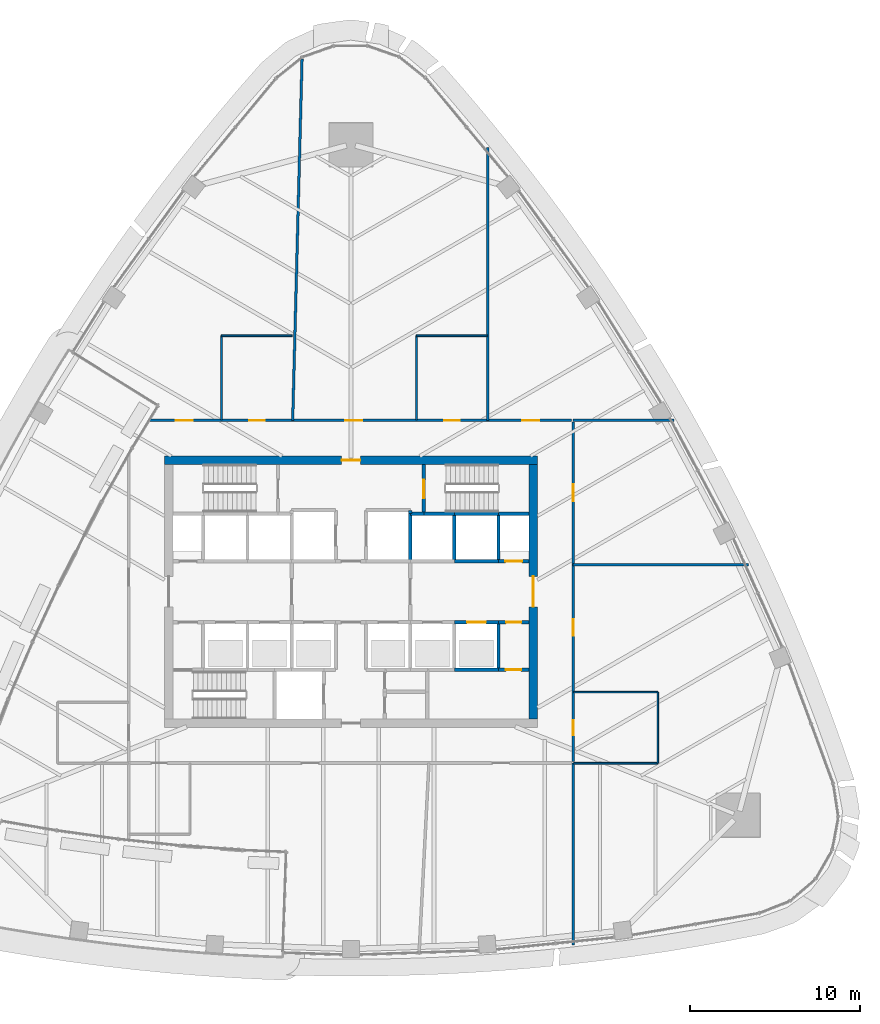
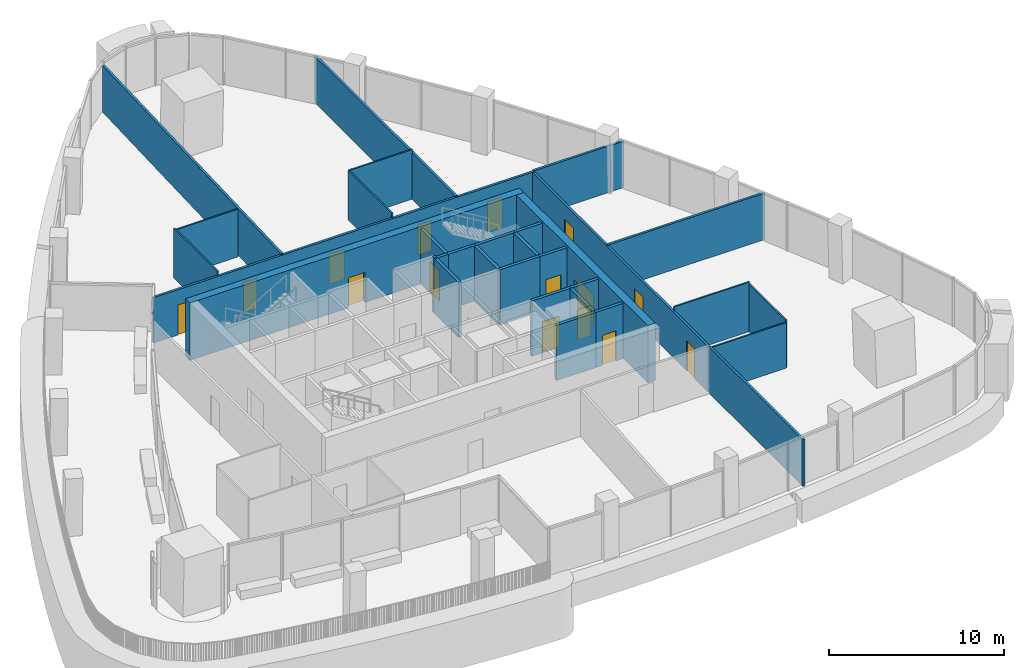
# One storey, part 11 of 18: 32 walls, 15 doors, 15 openings.
"""IFC4 building model written with IfcOpenShell, lengths in metres."""

from ifc_helpers import new_model, si_unit, direction, frame, frame_2d, origin, place, context, subcontext, project, spatial, rectangle, extrude, material, layer, layer_set, type_object, element, fill, save


model = new_model("IFC4")

# Units and contexts
model_context = context("Model", 3, precision=1e-05, world=origin(), true_north=direction((0.0, 1.0)))
body_context = subcontext(model_context, "Body", "Model", "MODEL_VIEW")
ifc_project = project(units=[si_unit("LENGTHUNIT", "METRE"), si_unit("AREAUNIT", "SQUARE_METRE"), si_unit("VOLUMEUNIT", "CUBIC_METRE"), si_unit("PLANEANGLEUNIT", "RADIAN"), si_unit("MASSUNIT", "GRAM", prefix="KILO")], contexts=[model_context])

# Site, building, storey
site_placement = place(None, origin())
site = spatial("IfcSite", under=ifc_project, at=site_placement, CompositionType="ELEMENT")
building_placement = place(site_placement, origin())
building = spatial("IfcBuilding", under=site, at=building_placement, Name="Sierra Prisma Convention Tower", CompositionType="ELEMENT")
storey_placement = place(building_placement, frame((0.0, 0.0, 205.800048828125)))
storey = spatial("IfcBuildingStorey", under=building, at=storey_placement, Name="L46", CompositionType="ELEMENT", Elevation=205.800048828125)

# Walls
ifc_material_1 = material(Name="Gypsum board partition", Category="gypsum")
ifc_layer_1 = layer(ifc_material_1, 0.10009765625)
ifc_layer_set_1 = layer_set([ifc_layer_1], Name="Bathroom partition 100")
wall_type_1 = type_object("IfcWallType", Name="Bathroom partition 100", PredefinedType="PARTITIONING", material=ifc_layer_set_1)
wall_1_placement = place(storey_placement, frame((-7.63623046875, 10.1298828125, 0.0), z_axis=(0.0, 0.0, 1.0), x_axis=(0.0, 1.0, 0.0)))
element("IfcWall", 1, at=wall_1_placement, inside=storey, type_object=wall_type_1, Name="Partition L46 bath 6", PredefinedType="PARTITIONING", context=body_context, shape_type="SweptSolid", body=[
    extrude(rectangle(XDim=4.97021484375, YDim=0.10009765625, at=frame_2d((2.485107421875, 0.0))), origin(), (0.0, 0.0, 1.0), 3.449951171875),
])
wall_2_placement = place(storey_placement, frame((-7.63623046875, 15.10009765625, 0.0), z_axis=(0.0, 0.0, 1.0), x_axis=(1.0, 0.0, 0.0)))
element("IfcWall", 2, at=wall_2_placement, inside=storey, type_object=wall_type_1, Name="Partition L46 bath 7", PredefinedType="PARTITIONING", context=body_context, shape_type="SweptSolid", body=[
    extrude(rectangle(XDim=4.169921875, YDim=0.10009765625, at=frame_2d((2.0849609375, 0.0))), origin(), (0.0, 0.0, 1.0), 3.31689453125),
])
wall_3_placement = place(storey_placement, frame((3.86376953125, 10.1298828125, 0.0), z_axis=(0.0, 0.0, 1.0), x_axis=(0.0, 1.0, 0.0)))
element("IfcWall", 3, at=wall_3_placement, inside=storey, type_object=wall_type_1, Name="Partition L46 bath 8", PredefinedType="PARTITIONING", context=body_context, shape_type="SweptSolid", body=[
    extrude(rectangle(XDim=4.97021484375, YDim=0.10009765625, at=frame_2d((2.485107421875, 0.0))), origin(), (0.0, 0.0, 1.0), 3.449951171875),
])
wall_4_placement = place(storey_placement, frame((3.86376953125, 15.10009765625, 0.0), z_axis=(0.0, 0.0, 1.0), x_axis=(1.0, 0.0, 0.0)))
element("IfcWall", 4, at=wall_4_placement, inside=storey, type_object=wall_type_1, Name="Partition L46 bath 9", PredefinedType="PARTITIONING", context=body_context, shape_type="SweptSolid", body=[
    extrude(rectangle(XDim=4.169921875, YDim=0.10009765625, at=frame_2d((2.0849609375, 0.0))), origin(), (0.0, 0.0, 1.0), 3.449951171875),
])
wall_5_placement = place(storey_placement, frame((13.1298828125, -5.919921875, 0.0), z_axis=(0.0, 0.0, 1.0), x_axis=(1.0, 0.0, 0.0)))
element("IfcWall", 5, at=wall_5_placement, inside=storey, type_object=wall_type_1, Name="Partition L46 bath 10", PredefinedType="PARTITIONING", context=body_context, shape_type="SweptSolid", body=[
    extrude(rectangle(XDim=4.97021484375, YDim=0.10009765625, at=frame_2d((2.485107421875, 0.0))), origin(), (0.0, 0.0, 1.0), 3.449951171875),
])
wall_6_placement = place(storey_placement, frame((18.10009765625, -5.919921875, 0.0), z_axis=(0.0, 0.0, 1.0), x_axis=(0.0, -1.0, 0.0)))
element("IfcWall", 6, at=wall_6_placement, inside=storey, type_object=wall_type_1, Name="Partition L46 bath 11", PredefinedType="PARTITIONING", context=body_context, shape_type="SweptSolid", body=[
    extrude(rectangle(XDim=4.2001953125, YDim=0.10009765625, at=frame_2d((2.10009765625, 0.0))), origin(), (0.0, 0.0, 1.0), 3.31689453125),
])
wall_7_placement = place(storey_placement, frame((18.10009765625, -10.1201171875, 0.0), z_axis=(0.0, 0.0, 1.0), x_axis=(-1.0, 0.0, 0.0)))
element("IfcWall", 7, at=wall_7_placement, inside=storey, type_object=wall_type_1, Name="Partition L46 bath 12", PredefinedType="PARTITIONING", context=body_context, shape_type="SweptSolid", body=[
    extrude(rectangle(XDim=4.97021484375, YDim=0.10009765625, at=frame_2d((2.485107421875, 0.0))), origin(), (0.0, 0.0, 1.0), 3.166015625),
])
ifc_material_2 = material(Name="Concrete C30/37", Category="concrete")
ifc_layer_2 = layer(ifc_material_2, 0.199951171875)
ifc_layer_set_2 = layer_set([ifc_layer_2], Name="Core wall RC 200 C30/37")
wall_type_2 = type_object("IfcWallType", Name="Core wall RC 200 C30/37", PredefinedType="SOLIDWALL", material=ifc_layer_set_2)
wall_8_placement = place(storey_placement, frame((3.5, 4.60009765625, 0.0), z_axis=(0.0, 0.0, 1.0), x_axis=(0.0, 1.0, 0.0)))
element("IfcWall", 8, at=wall_8_placement, inside=storey, type_object=wall_type_2, Name="Core wall L46 39", PredefinedType="SOLIDWALL", context=body_context, shape_type="SweptSolid", body=[
    extrude(rectangle(XDim=0.199951171875, YDim=0.199951171875, at=frame_2d((0.10009765625, 0.0))), origin(), (0.0, 0.0, 1.0), 3.849853515625),
])
wall_9_placement = place(storey_placement, frame((3.5, 1.800048828125, 0.0), z_axis=(0.0, 0.0, 1.0), x_axis=(0.0, 1.0, 0.0)))
element("IfcWall", 9, at=wall_9_placement, inside=storey, type_object=wall_type_2, Name="Core wall L46 51", PredefinedType="SOLIDWALL", context=body_context, shape_type="SweptSolid", body=[
    extrude(rectangle(XDim=2.800048828125, YDim=0.199951171875, at=frame_2d((1.39990234375, 0.0))), origin(), (0.0, 0.0, 1.0), 3.849853515625),
])
wall_10_placement = place(storey_placement, frame((4.300048828125, 4.60009765625, 0.0), z_axis=(0.0, 0.0, 1.0), x_axis=(-1.0, 0.0, 0.0)))
element("IfcWall", 10, at=wall_10_placement, inside=storey, type_object=wall_type_2, Name="Core wall L46 52", PredefinedType="SOLIDWALL", context=body_context, shape_type="SweptSolid", body=[
    extrude(rectangle(XDim=0.800048828125, YDim=0.199951171875, at=frame_2d((0.39990234375, 0.0))), origin(), (0.0, 0.0, 1.0), 3.849853515625),
])
wall_11_placement = place(storey_placement, frame((6.10009765625, 4.60009765625, 0.0), z_axis=(0.0, 0.0, 1.0), x_axis=(-1.0, 0.0, 0.0)))
element("IfcWall", 11, at=wall_11_placement, inside=storey, type_object=wall_type_2, Name="Core wall L46 53", PredefinedType="SOLIDWALL", context=body_context, shape_type="SweptSolid", body=[
    extrude(rectangle(XDim=1.800048828125, YDim=0.199951171875, at=frame_2d((0.89990234375, 0.0))), origin(), (0.0, 0.0, 1.0), 3.849853515625),
])

# Wall, opening, door
wall_12_placement = place(storey_placement, frame((4.300048828125, 7.5, 0.0), z_axis=(0.0, 0.0, 1.0), x_axis=(0.0, -1.0, 0.0)))
wall_12 = element("IfcWall", 12, at=wall_12_placement, inside=storey, type_object=wall_type_2, Name="Core wall L46 54", PredefinedType="SOLIDWALL", context=body_context, shape_type="SweptSolid", body=[
    extrude(rectangle(XDim=2.89990234375, YDim=0.199951171875, at=frame_2d((1.449951171875, 0.0))), origin(), (0.0, 0.0, 1.0), 3.849853515625),
])
opening_1_placement = place(wall_12_placement, frame((0.89990234375, 0.0, 0.0)))
opening_1 = element("IfcOpeningElement", 13, at=opening_1_placement, cuts=wall_12, Name="Opening L46-D022", PredefinedType="OPENING", context=body_context, shape_type="SweptSolid", body=[
    extrude(rectangle(XDim=1.10009765625, YDim=2.10009765625, at=frame_2d((0.550048828125, 1.050048828125))), frame((0.0, 0.10009765625, 0.0), z_axis=(0.0, -1.0, 0.0), x_axis=(1.0, 0.0, 0.0)), (0.0, 0.0, 1.0), 0.199951171875),
])
ifc_material_3 = material(Name="Steel fire door leaf", Category="steel")
door_type_1 = type_object("IfcDoorType", Name="Door 1100x2100 FD90S", OperationType="SINGLE_SWING_LEFT", PredefinedType="DOOR", material=ifc_material_3)
door_1_placement = place(opening_1_placement, origin())
door_1 = element("IfcDoor", 14, at=door_1_placement, inside=storey, type_object=door_type_1, Name="Door L46 32", OperationType="SINGLE_SWING_LEFT", OverallHeight=2.10009765625, OverallWidth=1.10009765625, PredefinedType="DOOR", context=body_context, shape_type="SweptSolid", body=[
    extrude(rectangle(XDim=1.10009765625, YDim=2.10009765625, at=frame_2d((0.550048828125, 1.050048828125))), frame((0.0, 0.02490234375, 0.0), z_axis=(0.0, -1.0, 0.0), x_axis=(1.0, 0.0, 0.0)), (0.0, 0.0, 1.0), 0.050048828125),
])
fill(opening_1, door_1)

# Wall
wall_13_placement = place(storey_placement, frame((8.699951171875, -4.60009765625, 0.0), z_axis=(0.0, 0.0, 1.0), x_axis=(-1.0, 0.0, 0.0)))
element("IfcWall", 15, at=wall_13_placement, inside=storey, type_object=wall_type_2, Name="Core wall L46 58", PredefinedType="SOLIDWALL", context=body_context, shape_type="SweptSolid", body=[
    extrude(rectangle(XDim=2.599853515625, YDim=0.199951171875, at=frame_2d((1.2998046875, 0.0))), origin(), (0.0, 0.0, 1.0), 3.849853515625),
])

# Wall, opening, door
wall_14_placement = place(storey_placement, frame((6.10009765625, -1.800048828125, 0.0), z_axis=(0.0, 0.0, 1.0), x_axis=(1.0, 0.0, 0.0)))
wall_14 = element("IfcWall", 16, at=wall_14_placement, inside=storey, type_object=wall_type_2, Name="Core wall L46 60", PredefinedType="SOLIDWALL", context=body_context, shape_type="SweptSolid", body=[
    extrude(rectangle(XDim=2.599853515625, YDim=0.199951171875, at=frame_2d((1.2998046875, 0.0))), origin(), (0.0, 0.0, 1.0), 3.849853515625),
])
opening_2_placement = place(wall_14_placement, frame((0.75, 0.0, 0.0)))
opening_2 = element("IfcOpeningElement", 17, at=opening_2_placement, cuts=wall_14, Name="Opening L46-D009", PredefinedType="OPENING", context=body_context, shape_type="SweptSolid", body=[
    extrude(rectangle(XDim=1.10009765625, YDim=2.10009765625, at=frame_2d((0.550048828125, 1.050048828125))), frame((0.0, 0.10009765625, 0.0), z_axis=(0.0, -1.0, 0.0), x_axis=(1.0, 0.0, 0.0)), (0.0, 0.0, 1.0), 0.199951171875),
])
ifc_material_4 = material(Name="Steel fire door leaf", Category="steel")
door_type_2 = type_object("IfcDoorType", Name="Door 1100x2100 EI 90 sliding lift landing", OperationType="SLIDING_TO_LEFT", PredefinedType="DOOR", material=ifc_material_4)
door_2_placement = place(opening_2_placement, origin())
door_2 = element("IfcDoor", 18, at=door_2_placement, inside=storey, type_object=door_type_2, Name="Door L46 19", OperationType="SLIDING_TO_RIGHT", OverallHeight=2.10009765625, OverallWidth=1.10009765625, PredefinedType="DOOR", context=body_context, shape_type="SweptSolid", body=[
    extrude(rectangle(XDim=1.10009765625, YDim=2.10009765625, at=frame_2d((0.550048828125, 1.050048828125))), frame((0.0, 0.02490234375, 0.0), z_axis=(0.0, -1.0, 0.0), x_axis=(1.0, 0.0, 0.0)), (0.0, 0.0, 1.0), 0.050048828125),
])
fill(opening_2, door_2)

# Walls
wall_15_placement = place(storey_placement, frame((8.699951171875, 1.800048828125, 0.0), z_axis=(0.0, 0.0, 1.0), x_axis=(-1.0, 0.0, 0.0)))
element("IfcWall", 19, at=wall_15_placement, inside=storey, type_object=wall_type_2, Name="Core wall L46 61", PredefinedType="SOLIDWALL", context=body_context, shape_type="SweptSolid", body=[
    extrude(rectangle(XDim=2.599853515625, YDim=0.199951171875, at=frame_2d((1.2998046875, 0.0))), origin(), (0.0, 0.0, 1.0), 3.849853515625),
])
wall_16_placement = place(storey_placement, frame((6.10009765625, 1.800048828125, 0.0), z_axis=(0.0, 0.0, 1.0), x_axis=(0.0, 1.0, 0.0)))
element("IfcWall", 20, at=wall_16_placement, inside=storey, type_object=wall_type_2, Name="Core wall L46 62", PredefinedType="SOLIDWALL", context=body_context, shape_type="SweptSolid", body=[
    extrude(rectangle(XDim=2.800048828125, YDim=0.199951171875, at=frame_2d((1.39990234375, 0.0))), origin(), (0.0, 0.0, 1.0), 3.849853515625),
])
wall_17_placement = place(storey_placement, frame((8.699951171875, 4.60009765625, 0.0), z_axis=(0.0, 0.0, 1.0), x_axis=(-1.0, 0.0, 0.0)))
element("IfcWall", 21, at=wall_17_placement, inside=storey, type_object=wall_type_2, Name="Core wall L46 63", PredefinedType="SOLIDWALL", context=body_context, shape_type="SweptSolid", body=[
    extrude(rectangle(XDim=2.599853515625, YDim=0.199951171875, at=frame_2d((1.2998046875, 0.0))), origin(), (0.0, 0.0, 1.0), 3.849853515625),
])

# Wall, opening, door
wall_18_placement = place(storey_placement, frame((10.5, -4.60009765625, 0.0), z_axis=(0.0, 0.0, 1.0), x_axis=(-1.0, 0.0, 0.0)))
wall_18 = element("IfcWall", 22, at=wall_18_placement, inside=storey, type_object=wall_type_2, Name="Core wall L46 64", PredefinedType="SOLIDWALL", context=body_context, shape_type="SweptSolid", body=[
    extrude(rectangle(XDim=1.800048828125, YDim=0.199951171875, at=frame_2d((0.89990234375, 0.0))), origin(), (0.0, 0.0, 1.0), 3.849853515625),
])
opening_3_placement = place(wall_18_placement, frame((0.4599609375, 0.0, 0.0)))
opening_3 = element("IfcOpeningElement", 23, at=opening_3_placement, cuts=wall_18, Name="Opening L46-D023", PredefinedType="OPENING", context=body_context, shape_type="SweptSolid", body=[
    extrude(rectangle(XDim=0.89990234375, YDim=2.10009765625, at=frame_2d((0.449951171875, 1.050048828125))), frame((0.0, 0.10009765625, 0.0), z_axis=(0.0, -1.0, 0.0), x_axis=(1.0, 0.0, 0.0)), (0.0, 0.0, 1.0), 0.199951171875),
])
ifc_material_5 = material(Name="Steel fire door leaf", Category="steel")
door_type_3 = type_object("IfcDoorType", Name="Door 900x2100 FD30S", OperationType="SINGLE_SWING_LEFT", PredefinedType="DOOR", material=ifc_material_5)
door_3_placement = place(opening_3_placement, origin())
door_3 = element("IfcDoor", 24, at=door_3_placement, inside=storey, type_object=door_type_3, Name="Door L46 33", OperationType="SINGLE_SWING_LEFT", OverallHeight=2.10009765625, OverallWidth=0.89990234375, PredefinedType="DOOR", context=body_context, shape_type="SweptSolid", body=[
    extrude(rectangle(XDim=0.89990234375, YDim=2.10009765625, at=frame_2d((0.449951171875, 1.050048828125))), frame((0.0, 0.02490234375, 0.0), z_axis=(0.0, -1.0, 0.0), x_axis=(1.0, 0.0, 0.0)), (0.0, 0.0, 1.0), 0.050048828125),
])
fill(opening_3, door_3)

# Wall
wall_19_placement = place(storey_placement, frame((8.699951171875, -1.800048828125, 0.0), z_axis=(0.0, 0.0, 1.0), x_axis=(0.0, -1.0, 0.0)))
element("IfcWall", 25, at=wall_19_placement, inside=storey, type_object=wall_type_2, Name="Core wall L46 65", PredefinedType="SOLIDWALL", context=body_context, shape_type="SweptSolid", body=[
    extrude(rectangle(XDim=2.800048828125, YDim=0.199951171875, at=frame_2d((1.39990234375, 0.0))), origin(), (0.0, 0.0, 1.0), 3.849853515625),
])

# Wall, opening, door
wall_20_placement = place(storey_placement, frame((8.699951171875, -1.800048828125, 0.0), z_axis=(0.0, 0.0, 1.0), x_axis=(1.0, 0.0, 0.0)))
wall_20 = element("IfcWall", 26, at=wall_20_placement, inside=storey, type_object=wall_type_2, Name="Core wall L46 66", PredefinedType="SOLIDWALL", context=body_context, shape_type="SweptSolid", body=[
    extrude(rectangle(XDim=1.800048828125, YDim=0.199951171875, at=frame_2d((0.89990234375, 0.0))), origin(), (0.0, 0.0, 1.0), 3.849853515625),
])
opening_4_placement = place(wall_20_placement, frame((0.449951171875, 0.0, 0.0)))
opening_4 = element("IfcOpeningElement", 27, at=opening_4_placement, cuts=wall_20, Name="Opening L46-D024", PredefinedType="OPENING", context=body_context, shape_type="SweptSolid", body=[
    extrude(rectangle(XDim=0.89990234375, YDim=2.10009765625, at=frame_2d((0.449951171875, 1.050048828125))), frame((0.0, 0.10009765625, 0.0), z_axis=(0.0, -1.0, 0.0), x_axis=(1.0, 0.0, 0.0)), (0.0, 0.0, 1.0), 0.199951171875),
])
door_4_placement = place(opening_4_placement, origin())
door_4 = element("IfcDoor", 28, at=door_4_placement, inside=storey, type_object=door_type_3, Name="Door L46 34", OperationType="SINGLE_SWING_RIGHT", OverallHeight=2.10009765625, OverallWidth=0.89990234375, PredefinedType="DOOR", context=body_context, shape_type="SweptSolid", body=[
    extrude(rectangle(XDim=0.89990234375, YDim=2.10009765625, at=frame_2d((0.449951171875, 1.050048828125))), frame((0.0, 0.02490234375, 0.0), z_axis=(0.0, -1.0, 0.0), x_axis=(1.0, 0.0, 0.0)), (0.0, 0.0, 1.0), 0.050048828125),
])
fill(opening_4, door_4)

wall_21_placement = place(storey_placement, frame((10.5, 1.800048828125, 0.0), z_axis=(0.0, 0.0, 1.0), x_axis=(-1.0, 0.0, 0.0)))
wall_21 = element("IfcWall", 29, at=wall_21_placement, inside=storey, type_object=wall_type_2, Name="Core wall L46 67", PredefinedType="SOLIDWALL", context=body_context, shape_type="SweptSolid", body=[
    extrude(rectangle(XDim=1.800048828125, YDim=0.199951171875, at=frame_2d((0.89990234375, 0.0))), origin(), (0.0, 0.0, 1.0), 3.849853515625),
])
opening_5_placement = place(wall_21_placement, frame((0.39990234375, 0.0, 0.0)))
opening_5 = element("IfcOpeningElement", 30, at=opening_5_placement, cuts=wall_21, Name="Opening L46-D019", PredefinedType="OPENING", context=body_context, shape_type="SweptSolid", body=[
    extrude(rectangle(XDim=1.0, YDim=2.10009765625, at=frame_2d((0.5, 1.050048828125))), frame((0.0, 0.10009765625, 0.0), z_axis=(0.0, -1.0, 0.0), x_axis=(1.0, 0.0, 0.0)), (0.0, 0.0, 1.0), 0.199951171875),
])
ifc_material_6 = material(Name="Steel fire door leaf", Category="steel")
door_type_4 = type_object("IfcDoorType", Name="Door 1000x2100 FD60S", OperationType="SINGLE_SWING_LEFT", PredefinedType="DOOR", material=ifc_material_6)
door_5_placement = place(opening_5_placement, origin())
door_5 = element("IfcDoor", 31, at=door_5_placement, inside=storey, type_object=door_type_4, Name="Door L46 29", OperationType="SINGLE_SWING_RIGHT", OverallHeight=2.10009765625, OverallWidth=1.0, PredefinedType="DOOR", context=body_context, shape_type="SweptSolid", body=[
    extrude(rectangle(XDim=1.0, YDim=2.10009765625, at=frame_2d((0.5, 1.050048828125))), frame((0.0, 0.02490234375, 0.0), z_axis=(0.0, -1.0, 0.0), x_axis=(1.0, 0.0, 0.0)), (0.0, 0.0, 1.0), 0.050048828125),
])
fill(opening_5, door_5)

# Walls
wall_22_placement = place(storey_placement, frame((8.699951171875, 4.60009765625, 0.0), z_axis=(0.0, 0.0, 1.0), x_axis=(0.0, -1.0, 0.0)))
element("IfcWall", 32, at=wall_22_placement, inside=storey, type_object=wall_type_2, Name="Core wall L46 68", PredefinedType="SOLIDWALL", context=body_context, shape_type="SweptSolid", body=[
    extrude(rectangle(XDim=2.800048828125, YDim=0.199951171875, at=frame_2d((1.39990234375, 0.0))), origin(), (0.0, 0.0, 1.0), 3.849853515625),
])
wall_23_placement = place(storey_placement, frame((10.5, 4.60009765625, 0.0), z_axis=(0.0, 0.0, 1.0), x_axis=(-1.0, 0.0, 0.0)))
element("IfcWall", 33, at=wall_23_placement, inside=storey, type_object=wall_type_2, Name="Core wall L46 69", PredefinedType="SOLIDWALL", context=body_context, shape_type="SweptSolid", body=[
    extrude(rectangle(XDim=1.800048828125, YDim=0.199951171875, at=frame_2d((0.89990234375, 0.0))), origin(), (0.0, 0.0, 1.0), 3.849853515625),
])

# Wall, opening, door
ifc_material_7 = material(Name="Concrete C60/75", Category="concrete")
ifc_layer_3 = layer(ifc_material_7, 0.5)
ifc_layer_set_3 = layer_set([ifc_layer_3], Name="Core wall RC 500 C60/75")
wall_type_3 = type_object("IfcWallType", Name="Core wall RC 500 C60/75", PredefinedType="SHEAR", material=ifc_layer_set_3)
wall_24_placement = place(storey_placement, frame((-11.0, 7.75, 0.0), z_axis=(0.0, 0.0, 1.0), x_axis=(1.0, 0.0, 0.0)))
wall_24 = element("IfcWall", 34, at=wall_24_placement, inside=storey, type_object=wall_type_3, Name="Core wall N L46", PredefinedType="SHEAR", context=body_context, shape_type="SweptSolid", body=[
    extrude(rectangle(XDim=22.0, YDim=0.5, at=frame_2d((11.0, 0.0))), origin(), (0.0, 0.0, 1.0), 4.0),
])
opening_6_placement = place(wall_24_placement, frame((10.449951171875, 0.0, 0.0)))
opening_6 = element("IfcOpeningElement", 35, at=opening_6_placement, cuts=wall_24, Name="Opening L46-D041", PredefinedType="OPENING", context=body_context, shape_type="SweptSolid", body=[
    extrude(rectangle(XDim=1.10009765625, YDim=2.10009765625, at=frame_2d((0.550048828125, 1.050048828125))), frame((0.0, 0.25, 0.0), z_axis=(0.0, -1.0, 0.0), x_axis=(1.0, 0.0, 0.0)), (0.0, 0.0, 1.0), 0.5),
])
ifc_material_8 = material(Name="Steel fire door leaf", Category="steel")
door_type_5 = type_object("IfcDoorType", Name="Door 1100x2100 FD60S", OperationType="SINGLE_SWING_LEFT", PredefinedType="DOOR", material=ifc_material_8)
door_6_placement = place(opening_6_placement, origin())
door_6 = element("IfcDoor", 36, at=door_6_placement, inside=storey, type_object=door_type_5, Name="Door L46 39", OperationType="SINGLE_SWING_LEFT", OverallHeight=2.10009765625, OverallWidth=1.10009765625, PredefinedType="DOOR", context=body_context, shape_type="SweptSolid", body=[
    extrude(rectangle(XDim=1.10009765625, YDim=2.10009765625, at=frame_2d((0.550048828125, 1.050048828125))), frame((0.0, 0.02490234375, 0.0), z_axis=(0.0, -1.0, 0.0), x_axis=(1.0, 0.0, 0.0)), (0.0, 0.0, 1.0), 0.050048828125),
])
fill(opening_6, door_6)

wall_25_placement = place(storey_placement, frame((10.75, -7.5, 0.0), z_axis=(0.0, 0.0, 1.0), x_axis=(0.0, 1.0, 0.0)))
wall_25 = element("IfcWall", 37, at=wall_25_placement, inside=storey, type_object=wall_type_3, Name="Core wall E L46", PredefinedType="SHEAR", context=body_context, shape_type="SweptSolid", body=[
    extrude(rectangle(XDim=15.0, YDim=0.5, at=frame_2d((7.5, 0.0))), origin(), (0.0, 0.0, 1.0), 4.0),
])
opening_7_placement = place(wall_25_placement, frame((6.60009765625, 0.0, 0.0)))
opening_7 = element("IfcOpeningElement", 38, at=opening_7_placement, cuts=wall_25, Name="Opening L46-D040", PredefinedType="OPENING", context=body_context, shape_type="SweptSolid", body=[
    extrude(rectangle(XDim=1.800048828125, YDim=2.10009765625, at=frame_2d((0.89990234375, 1.050048828125))), frame((0.0, 0.25, 0.0), z_axis=(0.0, -1.0, 0.0), x_axis=(1.0, 0.0, 0.0)), (0.0, 0.0, 1.0), 0.5),
])
ifc_material_9 = material(Name="Steel fire door leaf", Category="steel")
door_type_6 = type_object("IfcDoorType", Name="Door 1800x2100 FD60S", OperationType="DOUBLE_DOOR_SINGLE_SWING", PredefinedType="DOOR", material=ifc_material_9)
door_7_placement = place(opening_7_placement, origin())
door_7 = element("IfcDoor", 39, at=door_7_placement, inside=storey, type_object=door_type_6, Name="Door L46 38", OperationType="DOUBLE_DOOR_SINGLE_SWING", OverallHeight=2.10009765625, OverallWidth=1.800048828125, PredefinedType="DOOR", context=body_context, shape_type="SweptSolid", body=[
    extrude(rectangle(XDim=1.800048828125, YDim=2.10009765625, at=frame_2d((0.89990234375, 1.050048828125))), frame((0.0, 0.02490234375, 0.0), z_axis=(0.0, -1.0, 0.0), x_axis=(1.0, 0.0, 0.0)), (0.0, 0.0, 1.0), 0.050048828125),
])
fill(opening_7, door_7)

# Wall, openings, doors
ifc_material_10 = material(Name="Gypsum board partition", Category="gypsum")
ifc_layer_4 = layer(ifc_material_10, 0.14990234375)
ifc_layer_set_4 = layer_set([ifc_layer_4], Name="Corridor wall 150 gypsum EI 60")
wall_type_4 = type_object("IfcWallType", Name="Corridor wall 150 gypsum EI 60", PredefinedType="PARTITIONING", material=ifc_layer_set_4)
wall_26_placement = place(storey_placement, frame((13.02001953125, 10.10009765625, 0.0), z_axis=(0.0, 0.0, 1.0), x_axis=(-1.0, 0.0, 0.0)))
wall_26 = element("IfcWall", 40, at=wall_26_placement, inside=storey, type_object=wall_type_4, Name="Partition L46 corr 3", PredefinedType="PARTITIONING", context=body_context, shape_type="SweptSolid", body=[
    extrude(rectangle(XDim=24.956298828125, YDim=0.14990234375, at=frame_2d((12.47802734375, 0.0))), origin(), (0.0, 0.0, 1.0), 3.166015625),
])
opening_8_placement = place(wall_26_placement, frame((1.92822265625, 0.0, 0.0)))
opening_8 = element("IfcOpeningElement", 41, at=opening_8_placement, cuts=wall_26, Name="Opening L46-D028", PredefinedType="OPENING", context=body_context, shape_type="SweptSolid", body=[
    extrude(rectangle(XDim=1.0, YDim=2.10009765625, at=frame_2d((0.5, 1.050048828125))), frame((0.0, 0.074951171875, 0.0), z_axis=(0.0, -1.0, 0.0), x_axis=(1.0, 0.0, 0.0)), (0.0, 0.0, 1.0), 0.14990234375),
])
opening_9_placement = place(wall_26_placement, frame((6.606201171875, 0.0, 0.0)))
opening_9 = element("IfcOpeningElement", 42, at=opening_9_placement, cuts=wall_26, Name="Opening L46-D029", PredefinedType="OPENING", context=body_context, shape_type="SweptSolid", body=[
    extrude(rectangle(XDim=0.89990234375, YDim=2.10009765625, at=frame_2d((0.449951171875, 1.050048828125))), frame((0.0, 0.074951171875, 0.0), z_axis=(0.0, -1.0, 0.0), x_axis=(1.0, 0.0, 0.0)), (0.0, 0.0, 1.0), 0.14990234375),
])
opening_10_placement = place(wall_26_placement, frame((12.356201171875, 0.0, 0.0)))
opening_10 = element("IfcOpeningElement", 43, at=opening_10_placement, cuts=wall_26, Name="Opening L46-D030", PredefinedType="OPENING", context=body_context, shape_type="SweptSolid", body=[
    extrude(rectangle(XDim=1.0, YDim=2.10009765625, at=frame_2d((0.5, 1.050048828125))), frame((0.0, 0.074951171875, 0.0), z_axis=(0.0, -1.0, 0.0), x_axis=(1.0, 0.0, 0.0)), (0.0, 0.0, 1.0), 0.14990234375),
])
opening_11_placement = place(wall_26_placement, frame((18.106201171875, 0.0, 0.0)))
opening_11 = element("IfcOpeningElement", 44, at=opening_11_placement, cuts=wall_26, Name="Opening L46-D031", PredefinedType="OPENING", context=body_context, shape_type="SweptSolid", body=[
    extrude(rectangle(XDim=0.89990234375, YDim=2.10009765625, at=frame_2d((0.449951171875, 1.050048828125))), frame((0.0, 0.074951171875, 0.0), z_axis=(0.0, -1.0, 0.0), x_axis=(1.0, 0.0, 0.0)), (0.0, 0.0, 1.0), 0.14990234375),
])
opening_12_placement = place(wall_26_placement, frame((22.356201171875, 0.0, 0.0)))
opening_12 = element("IfcOpeningElement", 45, at=opening_12_placement, cuts=wall_26, Name="Opening L46-D032", PredefinedType="OPENING", context=body_context, shape_type="SweptSolid", body=[
    extrude(rectangle(XDim=1.0, YDim=2.10009765625, at=frame_2d((0.5, 1.050048828125))), frame((0.0, 0.074951171875, 0.0), z_axis=(0.0, -1.0, 0.0), x_axis=(1.0, 0.0, 0.0)), (0.0, 0.0, 1.0), 0.14990234375),
])
ifc_material_11 = material(Name="Steel fire door leaf", Category="steel")
door_type_7 = type_object("IfcDoorType", Name="Door 1000x2100 FD30S", OperationType="SINGLE_SWING_LEFT", PredefinedType="DOOR", material=ifc_material_11)
door_8_placement = place(opening_8_placement, origin())
door_8 = element("IfcDoor", 46, at=door_8_placement, inside=storey, type_object=door_type_7, Name="Door L46 2", OperationType="SINGLE_SWING_LEFT", OverallHeight=2.10009765625, OverallWidth=1.0, PredefinedType="DOOR", context=body_context, shape_type="SweptSolid", body=[
    extrude(rectangle(XDim=1.0, YDim=2.10009765625, at=frame_2d((0.5, 1.050048828125))), frame((0.0, 0.02490234375, 0.0), z_axis=(0.0, -1.0, 0.0), x_axis=(1.0, 0.0, 0.0)), (0.0, 0.0, 1.0), 0.050048828125),
])
fill(opening_8, door_8)
door_9_placement = place(opening_10_placement, origin())
door_9 = element("IfcDoor", 47, at=door_9_placement, inside=storey, type_object=door_type_7, Name="Door L46 4", OperationType="SINGLE_SWING_LEFT", OverallHeight=2.10009765625, OverallWidth=1.0, PredefinedType="DOOR", context=body_context, shape_type="SweptSolid", body=[
    extrude(rectangle(XDim=1.0, YDim=2.10009765625, at=frame_2d((0.5, 1.050048828125))), frame((0.0, 0.02490234375, 0.0), z_axis=(0.0, -1.0, 0.0), x_axis=(1.0, 0.0, 0.0)), (0.0, 0.0, 1.0), 0.050048828125),
])
fill(opening_10, door_9)
door_10_placement = place(opening_12_placement, origin())
door_10 = element("IfcDoor", 48, at=door_10_placement, inside=storey, type_object=door_type_7, Name="Door L46 6", OperationType="SINGLE_SWING_LEFT", OverallHeight=2.10009765625, OverallWidth=1.0, PredefinedType="DOOR", context=body_context, shape_type="SweptSolid", body=[
    extrude(rectangle(XDim=1.0, YDim=2.10009765625, at=frame_2d((0.5, 1.050048828125))), frame((0.0, 0.02490234375, 0.0), z_axis=(0.0, -1.0, 0.0), x_axis=(1.0, 0.0, 0.0)), (0.0, 0.0, 1.0), 0.050048828125),
])
fill(opening_12, door_10)
door_11_placement = place(opening_9_placement, origin())
door_11 = element("IfcDoor", 49, at=door_11_placement, inside=storey, type_object=door_type_3, Name="Door L46 3", OperationType="SINGLE_SWING_LEFT", OverallHeight=2.10009765625, OverallWidth=0.89990234375, PredefinedType="DOOR", context=body_context, shape_type="SweptSolid", body=[
    extrude(rectangle(XDim=0.89990234375, YDim=2.10009765625, at=frame_2d((0.449951171875, 1.050048828125))), frame((0.0, 0.02490234375, 0.0), z_axis=(0.0, -1.0, 0.0), x_axis=(1.0, 0.0, 0.0)), (0.0, 0.0, 1.0), 0.050048828125),
])
fill(opening_9, door_11)
door_12_placement = place(opening_11_placement, origin())
door_12 = element("IfcDoor", 50, at=door_12_placement, inside=storey, type_object=door_type_3, Name="Door L46 5", OperationType="SINGLE_SWING_LEFT", OverallHeight=2.10009765625, OverallWidth=0.89990234375, PredefinedType="DOOR", context=body_context, shape_type="SweptSolid", body=[
    extrude(rectangle(XDim=0.89990234375, YDim=2.10009765625, at=frame_2d((0.449951171875, 1.050048828125))), frame((0.0, 0.02490234375, 0.0), z_axis=(0.0, -1.0, 0.0), x_axis=(1.0, 0.0, 0.0)), (0.0, 0.0, 1.0), 0.050048828125),
])
fill(opening_11, door_12)

wall_27_placement = place(storey_placement, frame((13.10009765625, -10.02001953125, 0.0), z_axis=(0.0, 0.0, 1.0), x_axis=(0.0, 1.0, 0.0)))
wall_27 = element("IfcWall", 51, at=wall_27_placement, inside=storey, type_object=wall_type_4, Name="Partition L46 corr 4", PredefinedType="PARTITIONING", context=body_context, shape_type="SweptSolid", body=[
    extrude(rectangle(XDim=20.0400390625, YDim=0.14990234375, at=frame_2d((10.02001953125, 0.0))), origin(), (0.0, 0.0, 1.0), 3.166015625),
])
opening_13_placement = place(wall_27_placement, frame((15.3701171875, 0.0, 0.0)))
opening_13 = element("IfcOpeningElement", 52, at=opening_13_placement, cuts=wall_27, Name="Opening L46-D027", PredefinedType="OPENING", context=body_context, shape_type="SweptSolid", body=[
    extrude(rectangle(XDim=1.0, YDim=2.10009765625, at=frame_2d((0.5, 1.050048828125))), frame((0.0, 0.074951171875, 0.0), z_axis=(0.0, -1.0, 0.0), x_axis=(1.0, 0.0, 0.0)), (0.0, 0.0, 1.0), 0.14990234375),
])
opening_14_placement = place(wall_27_placement, frame((1.550048828125, 0.0, 0.0)))
opening_14 = element("IfcOpeningElement", 53, at=opening_14_placement, cuts=wall_27, Name="Opening L46-D038", PredefinedType="OPENING", context=body_context, shape_type="SweptSolid", body=[
    extrude(rectangle(XDim=0.89990234375, YDim=2.10009765625, at=frame_2d((0.449951171875, 1.050048828125))), frame((0.0, 0.074951171875, 0.0), z_axis=(0.0, -1.0, 0.0), x_axis=(1.0, 0.0, 0.0)), (0.0, 0.0, 1.0), 0.14990234375),
])
opening_15_placement = place(wall_27_placement, frame((7.409912109375, 0.0, 0.0)))
opening_15 = element("IfcOpeningElement", 54, at=opening_15_placement, cuts=wall_27, Name="Opening L46-D039", PredefinedType="OPENING", context=body_context, shape_type="SweptSolid", body=[
    extrude(rectangle(XDim=1.0, YDim=2.10009765625, at=frame_2d((0.5, 1.050048828125))), frame((0.0, 0.074951171875, 0.0), z_axis=(0.0, -1.0, 0.0), x_axis=(1.0, 0.0, 0.0)), (0.0, 0.0, 1.0), 0.14990234375),
])
door_13_placement = place(opening_13_placement, origin())
door_13 = element("IfcDoor", 55, at=door_13_placement, inside=storey, type_object=door_type_7, Name="Door L46 1", OperationType="SINGLE_SWING_LEFT", OverallHeight=2.10009765625, OverallWidth=1.0, PredefinedType="DOOR", context=body_context, shape_type="SweptSolid", body=[
    extrude(rectangle(XDim=1.0, YDim=2.10009765625, at=frame_2d((0.5, 1.050048828125))), frame((0.0, 0.02490234375, 0.0), z_axis=(0.0, -1.0, 0.0), x_axis=(1.0, 0.0, 0.0)), (0.0, 0.0, 1.0), 0.050048828125),
])
fill(opening_13, door_13)
door_14_placement = place(opening_15_placement, origin())
door_14 = element("IfcDoor", 56, at=door_14_placement, inside=storey, type_object=door_type_7, Name="Door L46 13", OperationType="SINGLE_SWING_LEFT", OverallHeight=2.10009765625, OverallWidth=1.0, PredefinedType="DOOR", context=body_context, shape_type="SweptSolid", body=[
    extrude(rectangle(XDim=1.0, YDim=2.10009765625, at=frame_2d((0.5, 1.050048828125))), frame((0.0, 0.02490234375, 0.0), z_axis=(0.0, -1.0, 0.0), x_axis=(1.0, 0.0, 0.0)), (0.0, 0.0, 1.0), 0.050048828125),
])
fill(opening_15, door_14)
door_15_placement = place(opening_14_placement, origin())
door_15 = element("IfcDoor", 57, at=door_15_placement, inside=storey, type_object=door_type_3, Name="Door L46 12", OperationType="SINGLE_SWING_LEFT", OverallHeight=2.10009765625, OverallWidth=0.89990234375, PredefinedType="DOOR", context=body_context, shape_type="SweptSolid", body=[
    extrude(rectangle(XDim=0.89990234375, YDim=2.10009765625, at=frame_2d((0.449951171875, 1.050048828125))), frame((0.0, 0.02490234375, 0.0), z_axis=(0.0, -1.0, 0.0), x_axis=(1.0, 0.0, 0.0)), (0.0, 0.0, 1.0), 0.050048828125),
])
fill(opening_14, door_15)

# Walls
ifc_material_12 = material(Name="Gypsum board partition", Category="gypsum")
ifc_layer_5 = layer(ifc_material_12, 0.14990234375)
ifc_layer_set_5 = layer_set([ifc_layer_5], Name="Party wall 150 gypsum")
wall_type_5 = type_object("IfcWallType", Name="Party wall 150 gypsum", PredefinedType="PARTITIONING", material=ifc_layer_set_5)
wall_28_placement = place(storey_placement, frame((-3.436279296875, 10.10009765625, 0.0), z_axis=(0.0, 0.0, 1.0), x_axis=(0.025896030912, 0.999664641559, 0.0)))
element("IfcWall", 58, at=wall_28_placement, inside=storey, type_object=wall_type_5, Name="Partition L46 party 2", PredefinedType="PARTITIONING", context=body_context, shape_type="SweptSolid", body=[
    extrude(rectangle(XDim=21.325439453125, YDim=0.14990234375, at=frame_2d((10.66259765625, 0.0))), origin(), (0.0, 0.0, 1.0), 3.23388671875),
])
wall_29_placement = place(storey_placement, frame((8.063720703125, 10.10009765625, 0.0), z_axis=(0.0, 0.0, 1.0), x_axis=(0.0, 1.0, 0.0)))
element("IfcWall", 59, at=wall_29_placement, inside=storey, type_object=wall_type_5, Name="Partition L46 party 4", PredefinedType="PARTITIONING", context=body_context, shape_type="SweptSolid", body=[
    extrude(rectangle(XDim=16.09033203125, YDim=0.14990234375, at=frame_2d((8.045166015625, 0.0))), origin(), (0.0, 0.0, 1.0), 3.23388671875),
])
wall_30_placement = place(storey_placement, frame((13.10009765625, -10.10009765625, 0.0), z_axis=(0.0, 0.0, 1.0), x_axis=(0.0, -1.0, 0.0)))
element("IfcWall", 60, at=wall_30_placement, inside=storey, type_object=wall_type_5, Name="Partition L46 party 5", PredefinedType="PARTITIONING", context=body_context, shape_type="SweptSolid", body=[
    extrude(rectangle(XDim=10.724853515625, YDim=0.14990234375, at=frame_2d((5.3623046875, 0.0))), origin(), (0.0, 0.0, 1.0), 3.23388671875),
])
wall_31_placement = place(storey_placement, frame((23.43994140625, 1.60009765625, 0.0), z_axis=(0.0, 0.0, 1.0), x_axis=(-1.0, 0.0, 0.0)))
element("IfcWall", 61, at=wall_31_placement, inside=storey, type_object=wall_type_5, Name="Partition L46 party 6", PredefinedType="PARTITIONING", context=body_context, shape_type="SweptSolid", body=[
    extrude(rectangle(XDim=10.33984375, YDim=0.14990234375, at=frame_2d((5.169921875, 0.0))), origin(), (0.0, 0.0, 1.0), 3.23388671875),
])
wall_32_placement = place(storey_placement, frame((13.10009765625, 10.10009765625, 0.0), z_axis=(0.0, 0.0, 1.0), x_axis=(1.0, 0.0, 0.0)))
element("IfcWall", 62, at=wall_32_placement, inside=storey, type_object=wall_type_5, Name="Partition L46 party 7", PredefinedType="PARTITIONING", context=body_context, shape_type="SweptSolid", body=[
    extrude(rectangle(XDim=5.949462890625, YDim=0.14990234375, at=frame_2d((2.974609375, 0.0))), origin(), (0.0, 0.0, 1.0), 3.23388671875),
])

save(model, "model.ifc")
